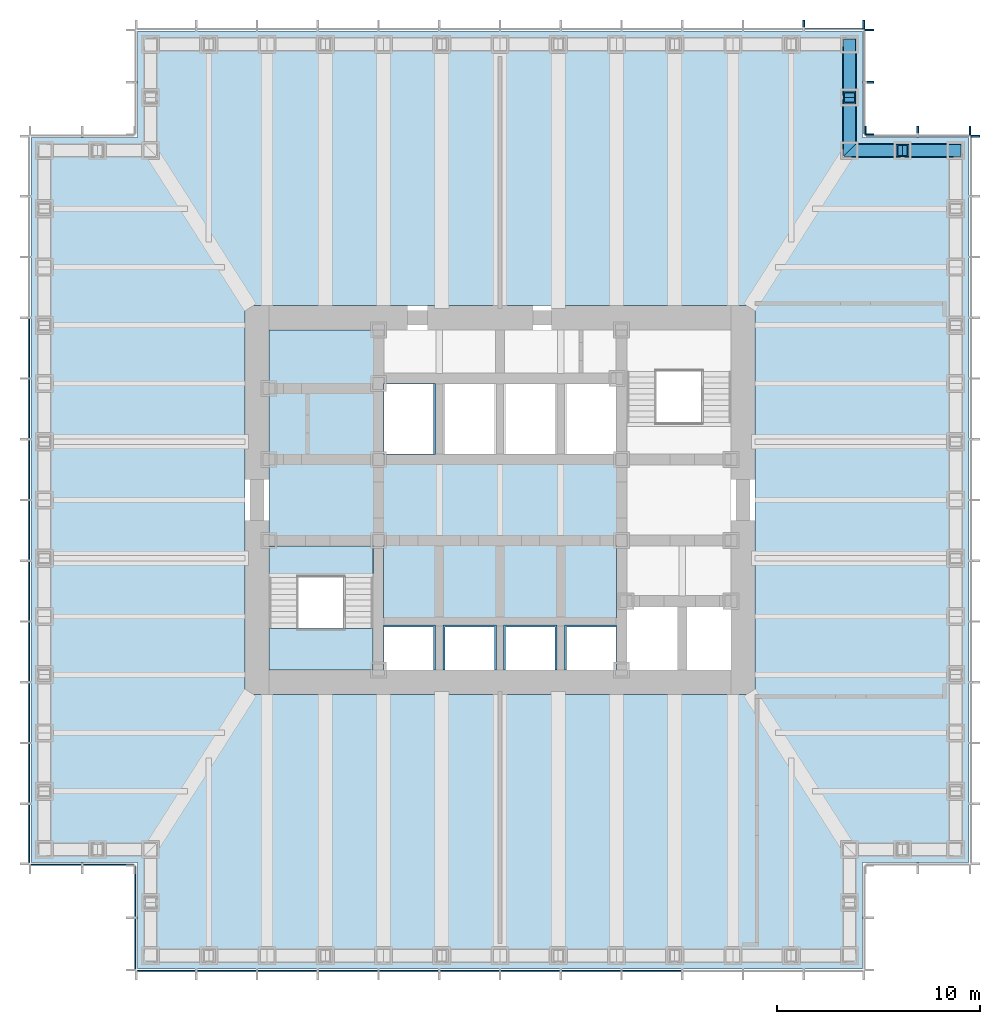
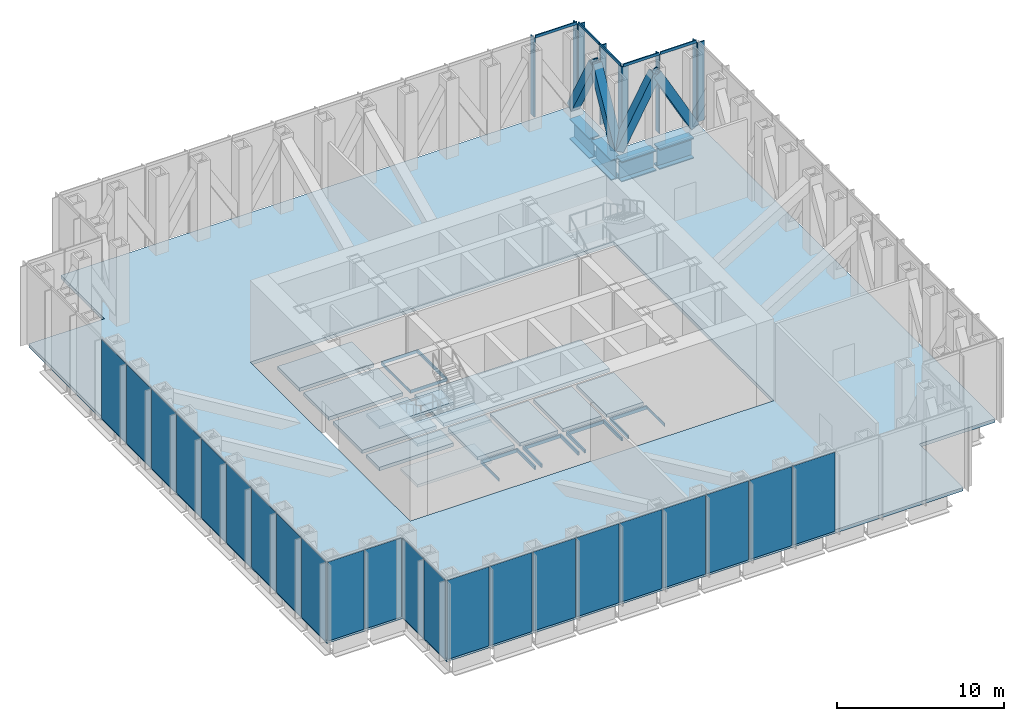
# One storey, part 5 of 13: 22 plates, 18 members, 18 slabs, 4 beams, 9 elements without a shape of their own.
"""IFC4 building model written with IfcOpenShell, lengths in metres."""

import ifcopenshell
import ifcopenshell.guid

model = None  # the IFC model being written
_history = None  # IfcOwnerHistory: only IFC2X3 demands one
_inside = {}  # id of a spatial element -> (the spatial element, [elements in it])
_under = {}  # id of a project, library or spatial element -> (it, [spatial elements below it])
_declared = {}  # id of a project -> (the project, [libraries it declares])
_typed = {}  # id of a type object -> (the type object, [elements of that type])
_made_of = {}  # id of a material, layer set ... -> (it, [elements and type objects made of it])


def new_model(schema):
    """Start an empty IFC model of exactly this schema.

    Asked for "IFC4X3", IfcOpenShell would pick the latest addendum, in which some entities
    have other attributes; the version numbers below select the first issue.
    IFC2X3 requires an IfcOwnerHistory on every rooted entity: one is made here for all.
    """
    global model, _history
    if schema == "IFC4X3":
        model = ifcopenshell.file(schema_version=(4, 3, 0, 0))
    else:
        model = ifcopenshell.file(schema=schema)
    _inside.clear()
    _under.clear()
    _declared.clear()
    _typed.clear()
    _made_of.clear()
    _history = None
    if model.schema == "IFC2X3":
        org = make("IfcOrganization", Name="unknown")
        user = make(
            "IfcPersonAndOrganization",
            ThePerson=make("IfcPerson", FamilyName="unknown"),
            TheOrganization=org,
        )
        app = make(
            "IfcApplication",
            ApplicationDeveloper=org,
            Version="unknown",
            ApplicationFullName="unknown",
            ApplicationIdentifier="unknown",
        )
        _history = make(
            "IfcOwnerHistory",
            OwningUser=user,
            OwningApplication=app,
            ChangeAction="ADDED",
            CreationDate=0,
        )
    return model


def make(cls, **values):
    """One entity of the class cls with the attributes given. An attribute that is None is left unset."""
    return model.create_entity(
        cls, **{name: value for name, value in values.items() if value is not None}
    )


def rooted(cls, **values):
    """An entity with a GlobalId (a new one), such as an element, a storey or a relation."""
    return make(cls, GlobalId=ifcopenshell.guid.new(), OwnerHistory=_history, **values)


def si_unit(unit_type, name, prefix=None):
    """IfcSIUnit, for example si_unit("LENGTHUNIT", "METRE", prefix="MILLI")."""
    return make("IfcSIUnit", UnitType=unit_type, Prefix=prefix, Name=name)


def assignment(units):
    """IfcUnitAssignment: the units of a project."""
    return None if units is None else make("IfcUnitAssignment", Units=units)


def point(xyz):
    """IfcCartesianPoint."""
    return None if xyz is None else make("IfcCartesianPoint", Coordinates=xyz)


def direction(xyz):
    """IfcDirection."""
    return None if xyz is None else make("IfcDirection", DirectionRatios=xyz)


def frame(location, z_axis=None, x_axis=None):
    """IfcAxis2Placement3D, a coordinate frame: its origin and axes. An axis left out is left unset."""
    return make(
        "IfcAxis2Placement3D",
        Location=point(location),
        Axis=direction(z_axis),
        RefDirection=direction(x_axis),
    )


def frame_2d(location, x_axis=None):
    """IfcAxis2Placement2D, a coordinate frame in the plane: its origin and x axis."""
    return make(
        "IfcAxis2Placement2D", Location=point(location), RefDirection=direction(x_axis)
    )


def origin():
    """The frame at (0, 0, 0) with its axes left unset."""
    return frame((0.0, 0.0, 0.0))


def origin_2d():
    """The frame at (0, 0) in the plane with its x axis left unset."""
    return frame_2d((0.0, 0.0))


def place(relative_to, where):
    """IfcLocalPlacement: puts the frame where relative to a parent placement (None: the world)."""
    return make(
        "IfcLocalPlacement", PlacementRelTo=relative_to, RelativePlacement=where
    )


def context(
    kind, dimensions, precision=None, world=None, true_north=None, identifier=None
):
    """IfcGeometricRepresentationContext, for example the 3D "Model" context."""
    return make(
        "IfcGeometricRepresentationContext",
        ContextIdentifier=identifier,
        ContextType=kind,
        CoordinateSpaceDimension=dimensions,
        Precision=precision,
        WorldCoordinateSystem=world,
        TrueNorth=true_north,
    )


def subcontext(parent, identifier, kind, view, scale=None):
    """IfcGeometricRepresentationSubContext, for example "Body" below "Model"."""
    return make(
        "IfcGeometricRepresentationSubContext",
        ContextIdentifier=identifier,
        ContextType=kind,
        ParentContext=parent,
        TargetScale=scale,
        TargetView=view,
    )


def project(units=None, contexts=None):
    """IfcProject with its units and contexts."""
    return rooted(
        "IfcProject",
        Name="project",
        RepresentationContexts=contexts,
        UnitsInContext=assignment(units),
    )


def spatial(cls, under=None, at=None, **own):
    """A site, building, storey or space (cls), placed at a placement, below another one or the project."""
    s = rooted(cls, ObjectPlacement=at, **own)
    if under is not None:
        _under.setdefault(under.id(), (under, []))[1].append(s)
    return s


def polyline(points):
    """IfcPolyline through the points."""
    return make("IfcPolyline", Points=[point(p) for p in points])


def profile(cls, at=None, kind="AREA", **sizes):
    """A parametric profile (cls). Its sizes go by their IFC names, for example OverallWidth=200.0."""
    return make(cls, ProfileType=kind, Position=at, **sizes)


def rectangle(**sizes):
    """IfcRectangleProfileDef."""
    return profile("IfcRectangleProfileDef", **sizes)


def hollow_rectangle(**sizes):
    """IfcRectangleHollowProfileDef."""
    return profile("IfcRectangleHollowProfileDef", **sizes)


def i_section(**sizes):
    """IfcIShapeProfileDef."""
    return profile("IfcIShapeProfileDef", **sizes)


def outline(outer, holes=None, kind="AREA"):
    """IfcArbitraryClosedProfileDef: a profile drawn as a closed curve; with holes, ...WithVoids."""
    if holes is None:
        return make("IfcArbitraryClosedProfileDef", ProfileType=kind, OuterCurve=outer)
    return make(
        "IfcArbitraryProfileDefWithVoids",
        ProfileType=kind,
        OuterCurve=outer,
        InnerCurves=holes,
    )


def extrude(swept, where, along, depth):
    """IfcExtrudedAreaSolid: the profile swept, set in the frame where, extruded along a direction by depth."""
    return make(
        "IfcExtrudedAreaSolid",
        SweptArea=swept,
        Position=where,
        ExtrudedDirection=direction(along),
        Depth=depth,
    )


def shape(context_of_items, identifier, shape_type, items):
    """IfcShapeRepresentation: the items that make up one representation, for example the "Body"."""
    return make(
        "IfcShapeRepresentation",
        ContextOfItems=context_of_items,
        RepresentationIdentifier=identifier,
        RepresentationType=shape_type,
        Items=items,
    )


def material(Name=None, Category=None):
    """IfcMaterial."""
    return make("IfcMaterial", Name=Name, Category=Category)


def layer(
    of_material, thickness, ventilated=None, Name=None, Category=None, Priority=None
):
    """IfcMaterialLayer: one layer of a wall or slab, of a material (None: an air gap)."""
    return make(
        "IfcMaterialLayer",
        Material=of_material,
        LayerThickness=thickness,
        IsVentilated=ventilated,
        Name=Name,
        Category=Category,
        Priority=Priority,
    )


def layer_set(layers, Name=None):
    """IfcMaterialLayerSet."""
    return make("IfcMaterialLayerSet", MaterialLayers=layers, LayerSetName=Name)


def material_profile(
    of_material, cross_section, Name=None, Category=None, Priority=None
):
    """IfcMaterialProfile: a cross section and its material."""
    return make(
        "IfcMaterialProfile",
        Name=Name,
        Material=of_material,
        Profile=cross_section,
        Priority=Priority,
        Category=Category,
    )


def profile_set(profiles, Name=None, composite=None):
    """IfcMaterialProfileSet."""
    return make(
        "IfcMaterialProfileSet",
        Name=Name,
        MaterialProfiles=profiles,
        CompositeProfile=composite,
    )


def made_of(thing, what):
    """Note that an element or type object is made of a material, layer set ...; save() writes the relation."""
    if what is not None:
        _made_of.setdefault(what.id(), (what, []))[1].append(thing)
    return thing


def type_object(cls, material=None, **own):
    """A type object (cls), such as IfcWallType, which elements share."""
    return made_of(rooted(cls, **own), material)


def element(
    cls,
    number,
    at=None,
    inside=None,
    cuts=None,
    type_object=None,
    material=None,
    context=None,
    identifier="Body",
    shape_type=None,
    held_by="IfcProductDefinitionShape",
    body=None,
    shapes=None,
    **own,
):
    """One element of the class cls, such as IfcWall. Its Tag is "e" and its number.

    at: its placement. inside: the storey or other place that contains it. cuts: it is an
    opening in that element (IfcRelVoidsElement). A single representation is given by context,
    identifier, shape_type and body (its items); several are given by shapes. held_by: the class
    of the entity that holds the representations. save() writes the other relations.
    """
    e = rooted(cls, Tag="e%d" % number, ObjectPlacement=at, **own)
    if body is not None:
        shapes = [shape(context, identifier, shape_type, body)]
    if shapes is not None:
        e.Representation = make(held_by, Representations=shapes)
    if inside is not None:
        _inside.setdefault(inside.id(), (inside, []))[1].append(e)
    if cuts is not None:
        rooted(
            "IfcRelVoidsElement", RelatingBuildingElement=cuts, RelatedOpeningElement=e
        )
    if type_object is not None:
        _typed.setdefault(type_object.id(), (type_object, []))[1].append(e)
    return made_of(e, material)


def aggregate(whole, parts):
    """IfcRelAggregates: a whole, such as a stair, and the parts it consists of."""
    return rooted("IfcRelAggregates", RelatingObject=whole, RelatedObjects=parts)


def save(model, path):
    """Write the relations noted so far, then the file.

    IfcRelAggregates (storeys below a building ...), IfcRelContainedInSpatialStructure (elements
    in a storey), IfcRelDefinesByType, IfcRelAssociatesMaterial and IfcRelDeclares: one each for
    every whole, place, type object, material and project.
    """
    for whole, parts in _under.values():
        aggregate(whole, parts)
    for where, things in _inside.values():
        rooted(
            "IfcRelContainedInSpatialStructure",
            RelatedElements=things,
            RelatingStructure=where,
        )
    for kind, things in _typed.values():
        rooted("IfcRelDefinesByType", RelatedObjects=things, RelatingType=kind)
    for what, things in _made_of.values():
        rooted("IfcRelAssociatesMaterial", RelatedObjects=things, RelatingMaterial=what)
    for by, libraries in _declared.values():
        rooted("IfcRelDeclares", RelatingContext=by, RelatedDefinitions=libraries)
    model.write(path)


model = new_model("IFC4")

# Units and contexts
model_context = context("Model", 3, precision=1e-05, world=origin(), true_north=direction((0.0, 1.0)))
body_context = subcontext(model_context, "Body", "Model", "MODEL_VIEW")
ifc_project = project(units=[si_unit("LENGTHUNIT", "METRE"), si_unit("AREAUNIT", "SQUARE_METRE"), si_unit("VOLUMEUNIT", "CUBIC_METRE"), si_unit("PLANEANGLEUNIT", "RADIAN"), si_unit("MASSUNIT", "GRAM", prefix="KILO")], contexts=[model_context])

# Site, building, storey
site_placement = place(None, origin())
site = spatial("IfcSite", under=ifc_project, at=site_placement, CompositionType="ELEMENT")
building_placement = place(site_placement, origin())
building = spatial("IfcBuilding", under=site, at=building_placement, Name="Daluyong Arena Tower", CompositionType="ELEMENT")
storey_placement = place(building_placement, frame((0.0, 0.0, 175.300048828125)))
storey = spatial("IfcBuildingStorey", under=building, at=storey_placement, Name="L39", CompositionType="ELEMENT", Elevation=175.300048828125)

# Members
ifc_material_1 = material(Name="Steel ASTM A572 Grade 50", Category="steel")
ifc_material_profile_1 = material_profile(ifc_material_1, hollow_rectangle(XDim=0.60009765625, YDim=0.60009765625, WallThickness=0.05, at=origin_2d()))
ifc_profile_set_1 = profile_set([ifc_material_profile_1], Name="Steel ASTM A572 Grade 50")
member_type_1 = type_object("IfcMemberType", Name="Belt truss diagonal BX600X50", PredefinedType="BRACE", material=ifc_profile_set_1)
for number, where, z_axis, x_axis, name in (
    (1, (78.5, 97.25, 0.5), (-0.48368611169, 0.0, 0.875241535439), (0.0, -1.0, 0.0), "belt truss diagonal BT1"),
    (2, (73.25, 97.25, 0.5), (0.48368611169, 0.0, 0.875241535439), (0.0, 1.0, 0.0), "belt truss diagonal BT1"),
    (3, (73.25, 97.25, 0.5), (0.0, 0.48368611169, 0.875241535439), (-1.0, 0.0, 0.0), "belt truss diagonal BT1"),
    (4, (73.25, 102.5, 0.5), (0.0, -0.48368611169, 0.875241535439), (1.0, 0.0, 0.0), "belt truss diagonal BT1"),
):
    element("IfcMember", number, at=place(storey_placement, frame(where, z_axis=z_axis, x_axis=x_axis)), inside=storey, type_object=member_type_1, Name=name, PredefinedType="BRACE", context=body_context, shape_type="SweptSolid", body=[
        extrude(hollow_rectangle(XDim=0.60009765625, YDim=0.60009765625, WallThickness=0.05, at=origin_2d()), origin(), (0.0, 0.0, 1.0), 5.427001953125),
    ])

# Curtain wall, member
ifc_material_2 = material(Name="Bronze anodised aluminium and glass", Category="aluminium")
curtain_wall_type = type_object("IfcCurtainWallType", Name="Curtain wall CW6", PredefinedType="USERDEFINED", material=ifc_material_2)
curtain_wall_1_placement = place(storey_placement, origin())
curtain_wall_1 = element("IfcCurtainWall", 5, at=curtain_wall_1_placement, inside=storey, type_object=curtain_wall_type, Name="curtain wall L39 E", ObjectType="UNITISED CURTAIN WALL", PredefinedType="USERDEFINED")
ifc_material_3 = material(Name="Bronze anodised aluminium fin", Category="aluminium")
ifc_material_profile_2 = material_profile(ifc_material_3, rectangle(XDim=0.449951171875, YDim=0.080078125, at=origin_2d()))
ifc_profile_set_2 = profile_set([ifc_material_profile_2], Name="Bronze anodised aluminium fin")
member_type_2 = type_object("IfcMemberType", Name="CW6 bronze fin 450x80", PredefinedType="MULLION", material=ifc_profile_set_2)
member_1_placement = place(storey_placement, frame((79.47509765625, 97.9599609375, 0.0), z_axis=(0.0, 0.0, 1.0), x_axis=(-1.0, 0.0, 0.0)))
member_1 = element("IfcMember", 6, at=member_1_placement, type_object=member_type_2, Name="curtain wall L39 E fin 13", PredefinedType="MULLION", context=body_context, shape_type="SweptSolid", body=[
    extrude(rectangle(XDim=0.449951171875, YDim=0.080078125, at=origin_2d()), origin(), (0.0, 0.0, 1.0), 5.800048828125),
])
aggregate(curtain_wall_1, [member_1])

# Curtain wall, members
curtain_wall_2_placement = place(storey_placement, origin())
curtain_wall_2 = element("IfcCurtainWall", 7, at=curtain_wall_2_placement, inside=storey, type_object=curtain_wall_type, Name="curtain wall L39 NE-N", ObjectType="UNITISED CURTAIN WALL", PredefinedType="USERDEFINED")
member_2_placement = place(storey_placement, frame((79.2099609375, 98.22509765625, 0.0), z_axis=(0.0, 0.0, 1.0), x_axis=(0.0, -1.0, 0.0)))
member_2 = element("IfcMember", 8, at=member_2_placement, type_object=member_type_2, Name="curtain wall L39 NE-N fin 1", PredefinedType="MULLION", context=body_context, shape_type="SweptSolid", body=[
    extrude(rectangle(XDim=0.449951171875, YDim=0.080078125, at=origin_2d()), origin(), (0.0, 0.0, 1.0), 5.800048828125),
])
member_3_placement = place(storey_placement, frame((76.625, 98.22509765625, 0.0), z_axis=(0.0, 0.0, 1.0), x_axis=(0.0, -1.0, 0.0)))
member_3 = element("IfcMember", 9, at=member_3_placement, type_object=member_type_2, Name="curtain wall L39 NE-N fin 2", PredefinedType="MULLION", context=body_context, shape_type="SweptSolid", body=[
    extrude(rectangle(XDim=0.449951171875, YDim=0.080078125, at=origin_2d()), origin(), (0.0, 0.0, 1.0), 5.800048828125),
])
member_4_placement = place(storey_placement, frame((74.0400390625, 98.22509765625, 0.0), z_axis=(0.0, 0.0, 1.0), x_axis=(0.0, -1.0, 0.0)))
member_4 = element("IfcMember", 10, at=member_4_placement, type_object=member_type_2, Name="curtain wall L39 NE-N fin 3", PredefinedType="MULLION", context=body_context, shape_type="SweptSolid", body=[
    extrude(rectangle(XDim=0.449951171875, YDim=0.080078125, at=origin_2d()), origin(), (0.0, 0.0, 1.0), 5.800048828125),
])

curtain_wall_3_placement = place(storey_placement, origin())
curtain_wall_3 = element("IfcCurtainWall", 11, at=curtain_wall_3_placement, inside=storey, type_object=curtain_wall_type, Name="curtain wall L39 NE-E", ObjectType="UNITISED CURTAIN WALL", PredefinedType="USERDEFINED")
member_5_placement = place(storey_placement, frame((74.22509765625, 98.0400390625, 0.0), z_axis=(0.0, 0.0, 1.0), x_axis=(-1.0, 0.0, 0.0)))
member_5 = element("IfcMember", 12, at=member_5_placement, type_object=member_type_2, Name="curtain wall L39 NE-E fin 1", PredefinedType="MULLION", context=body_context, shape_type="SweptSolid", body=[
    extrude(rectangle(XDim=0.449951171875, YDim=0.080078125, at=origin_2d()), origin(), (0.0, 0.0, 1.0), 5.800048828125),
])
member_6_placement = place(storey_placement, frame((74.22509765625, 100.625, 0.0), z_axis=(0.0, 0.0, 1.0), x_axis=(-1.0, 0.0, 0.0)))
member_6 = element("IfcMember", 13, at=member_6_placement, type_object=member_type_2, Name="curtain wall L39 NE-E fin 2", PredefinedType="MULLION", context=body_context, shape_type="SweptSolid", body=[
    extrude(rectangle(XDim=0.449951171875, YDim=0.080078125, at=origin_2d()), origin(), (0.0, 0.0, 1.0), 5.800048828125),
])
member_7_placement = place(storey_placement, frame((74.22509765625, 103.2099609375, 0.0), z_axis=(0.0, 0.0, 1.0), x_axis=(-1.0, 0.0, 0.0)))
member_7 = element("IfcMember", 14, at=member_7_placement, type_object=member_type_2, Name="curtain wall L39 NE-E fin 3", PredefinedType="MULLION", context=body_context, shape_type="SweptSolid", body=[
    extrude(rectangle(XDim=0.449951171875, YDim=0.080078125, at=origin_2d()), origin(), (0.0, 0.0, 1.0), 5.800048828125),
])

curtain_wall_4_placement = place(storey_placement, origin())
curtain_wall_4 = element("IfcCurtainWall", 15, at=curtain_wall_4_placement, inside=storey, type_object=curtain_wall_type, Name="curtain wall L39 N", ObjectType="UNITISED CURTAIN WALL", PredefinedType="USERDEFINED")
member_8_placement = place(storey_placement, frame((73.9599609375, 103.47509765625, 0.0), z_axis=(0.0, 0.0, 1.0), x_axis=(0.0, -1.0, 0.0)))
member_8 = element("IfcMember", 16, at=member_8_placement, type_object=member_type_2, Name="curtain wall L39 N fin 1", PredefinedType="MULLION", context=body_context, shape_type="SweptSolid", body=[
    extrude(rectangle(XDim=0.449951171875, YDim=0.080078125, at=origin_2d()), origin(), (0.0, 0.0, 1.0), 5.800048828125),
])
member_9_placement = place(storey_placement, frame((71.0, 103.47509765625, 0.0), z_axis=(0.0, 0.0, 1.0), x_axis=(0.0, -1.0, 0.0)))
member_9 = element("IfcMember", 17, at=member_9_placement, type_object=member_type_2, Name="curtain wall L39 N fin 2", PredefinedType="MULLION", context=body_context, shape_type="SweptSolid", body=[
    extrude(rectangle(XDim=0.449951171875, YDim=0.080078125, at=origin_2d()), origin(), (0.0, 0.0, 1.0), 5.800048828125),
])

# Member
ifc_material_4 = material(Name="Bronze anodised aluminium", Category="aluminium")
ifc_material_profile_3 = material_profile(ifc_material_4, rectangle(XDim=0.080078125, YDim=0.199951171875, at=origin_2d()))
ifc_profile_set_3 = profile_set([ifc_material_profile_3], Name="Bronze anodised aluminium")
member_type_3 = type_object("IfcMemberType", Name="CW6 stack transom 200x80", PredefinedType="USERDEFINED", material=ifc_profile_set_3)
member_10_placement = place(storey_placement, frame((79.169921875, 98.0, 5.89990234375), z_axis=(-1.0, 0.0, 0.0), x_axis=(0.0, -1.0, 0.0)))
member_10 = element("IfcMember", 18, at=member_10_placement, type_object=member_type_3, Name="curtain wall L39 NE-N transom 1", ObjectType="TRANSOM", PredefinedType="USERDEFINED", context=body_context, shape_type="SweptSolid", body=[
    extrude(rectangle(XDim=0.080078125, YDim=0.199951171875, at=origin_2d()), origin(), (0.0, 0.0, 1.0), 2.5048828125),
])

member_11_placement = place(storey_placement, frame((76.5849609375, 98.0, 5.89990234375), z_axis=(-1.0, 0.0, 0.0), x_axis=(0.0, -1.0, 0.0)))
member_11 = element("IfcMember", 19, at=member_11_placement, type_object=member_type_3, Name="curtain wall L39 NE-N transom 2", ObjectType="TRANSOM", PredefinedType="USERDEFINED", context=body_context, shape_type="SweptSolid", body=[
    extrude(rectangle(XDim=0.080078125, YDim=0.199951171875, at=origin_2d()), origin(), (0.0, 0.0, 1.0), 2.5048828125),
])

aggregate(curtain_wall_2, [member_2, member_3, member_4, member_10, member_11])

member_12_placement = place(storey_placement, frame((74.0, 98.080078125, 5.89990234375), z_axis=(0.0, 1.0, 0.0), x_axis=(-1.0, 0.0, 0.0)))
member_12 = element("IfcMember", 20, at=member_12_placement, type_object=member_type_3, Name="curtain wall L39 NE-E transom 1", ObjectType="TRANSOM", PredefinedType="USERDEFINED", context=body_context, shape_type="SweptSolid", body=[
    extrude(rectangle(XDim=0.080078125, YDim=0.199951171875, at=origin_2d()), origin(), (0.0, 0.0, 1.0), 2.5048828125),
])

member_13_placement = place(storey_placement, frame((74.0, 100.6650390625, 5.89990234375), z_axis=(0.0, 1.0, 0.0), x_axis=(-1.0, 0.0, 0.0)))
member_13 = element("IfcMember", 21, at=member_13_placement, type_object=member_type_3, Name="curtain wall L39 NE-E transom 2", ObjectType="TRANSOM", PredefinedType="USERDEFINED", context=body_context, shape_type="SweptSolid", body=[
    extrude(rectangle(XDim=0.080078125, YDim=0.199951171875, at=origin_2d()), origin(), (0.0, 0.0, 1.0), 2.5048828125),
])

aggregate(curtain_wall_3, [member_5, member_6, member_7, member_12, member_13])

member_14_placement = place(storey_placement, frame((73.919921875, 103.25, 5.89990234375), z_axis=(-1.0, 0.0, 0.0), x_axis=(0.0, -1.0, 0.0)))
member_14 = element("IfcMember", 22, at=member_14_placement, type_object=member_type_3, Name="curtain wall L39 N transom 1", ObjectType="TRANSOM", PredefinedType="USERDEFINED", context=body_context, shape_type="SweptSolid", body=[
    extrude(rectangle(XDim=0.080078125, YDim=0.199951171875, at=origin_2d()), origin(), (0.0, 0.0, 1.0), 2.8798828125),
])

aggregate(curtain_wall_4, [member_8, member_9, member_14])

# Beams
ifc_material_5 = material(Name="Steel ASTM A572 Grade 50", Category="steel")
ifc_material_profile_4 = material_profile(ifc_material_5, i_section(OverallWidth=0.699951171875, OverallDepth=1.5, WebThickness=0.04, FlangeThickness=0.08, at=origin_2d()))
ifc_profile_set_4 = profile_set([ifc_material_profile_4], Name="Steel ASTM A572 Grade 50")
beam_type = type_object("IfcBeamType", Name="Spandrel Z2 PG1500X700", PredefinedType="SPANDREL", material=ifc_profile_set_4)
for number, where, z_axis, x_axis, name in (
    (23, (78.385009765625, 97.25, -1.0), (-1.0, 0.0, 0.0), (0.0, -1.0, 0.0), "spandrel z2 SB6"),
    (24, (75.760009765625, 97.25, -1.0), (-1.0, 0.0, 0.0), (0.0, -1.0, 0.0), "spandrel z2 SB6"),
    (25, (73.25, 97.364990234375, -1.0), (0.0, 1.0, 0.0), (-1.0, 0.0, 0.0), "spandrel z2 SB6"),
    (26, (73.25, 99.989990234375, -1.0), (0.0, 1.0, 0.0), (-1.0, 0.0, 0.0), "spandrel z2 SB6"),
):
    element("IfcBeam", number, at=place(storey_placement, frame(where, z_axis=z_axis, x_axis=x_axis)), inside=storey, type_object=beam_type, Name=name, PredefinedType="SPANDREL", context=body_context, shape_type="SweptSolid", body=[
        extrude(i_section(OverallWidth=0.699951171875, OverallDepth=1.5, WebThickness=0.04, FlangeThickness=0.08, at=origin_2d()), origin(), (0.0, 0.0, 1.0), 2.39501953125),
    ])

# Curtain wall, plates
curtain_wall_5_placement = place(storey_placement, origin())
curtain_wall_5 = element("IfcCurtainWall", 27, at=curtain_wall_5_placement, inside=storey, type_object=curtain_wall_type, Name="curtain wall L39 S", ObjectType="UNITISED CURTAIN WALL", PredefinedType="USERDEFINED")
ifc_material_6 = material(Name="Bronze aluminium louvre panel", Category="aluminium")
ifc_layer_1 = layer(ifc_material_6, 0.050048828125)
ifc_layer_set_1 = layer_set([ifc_layer_1], Name="Bronze aluminium louvre panel")
plate_type = type_object("IfcPlateType", Name="CW6 panel 50", PredefinedType="CURTAIN_PANEL", material=ifc_layer_set_1)
plate_1_placement = place(storey_placement, frame((39.52001953125, 56.75, 0.0), z_axis=(0.0, 0.0, 1.0), x_axis=(1.0, 0.0, 0.0)))
plate_1 = element("IfcPlate", 28, at=plate_1_placement, type_object=plate_type, Name="curtain wall L39 S panel 1", PredefinedType="CURTAIN_PANEL", context=body_context, shape_type="SweptSolid", body=[
    extrude(rectangle(XDim=2.8798828125, YDim=0.050048828125, at=origin_2d()), origin(), (0.0, 0.0, 1.0), 5.800048828125),
])
plate_2_placement = place(storey_placement, frame((42.5, 56.75, 0.0), z_axis=(0.0, 0.0, 1.0), x_axis=(1.0, 0.0, 0.0)))
plate_2 = element("IfcPlate", 29, at=plate_2_placement, type_object=plate_type, Name="curtain wall L39 S panel 2", PredefinedType="CURTAIN_PANEL", context=body_context, shape_type="SweptSolid", body=[
    extrude(rectangle(XDim=2.919921875, YDim=0.050048828125, at=origin_2d()), origin(), (0.0, 0.0, 1.0), 5.800048828125),
])
plate_3_placement = place(storey_placement, frame((45.5, 56.75, 0.0), z_axis=(0.0, 0.0, 1.0), x_axis=(1.0, 0.0, 0.0)))
plate_3 = element("IfcPlate", 30, at=plate_3_placement, type_object=plate_type, Name="curtain wall L39 S panel 3", PredefinedType="CURTAIN_PANEL", context=body_context, shape_type="SweptSolid", body=[
    extrude(rectangle(XDim=2.919921875, YDim=0.050048828125, at=origin_2d()), origin(), (0.0, 0.0, 1.0), 5.800048828125),
])
plate_4_placement = place(storey_placement, frame((48.5, 56.75, 0.0), z_axis=(0.0, 0.0, 1.0), x_axis=(1.0, 0.0, 0.0)))
plate_4 = element("IfcPlate", 31, at=plate_4_placement, type_object=plate_type, Name="curtain wall L39 S panel 4", PredefinedType="CURTAIN_PANEL", context=body_context, shape_type="SweptSolid", body=[
    extrude(rectangle(XDim=2.919921875, YDim=0.050048828125, at=origin_2d()), origin(), (0.0, 0.0, 1.0), 5.800048828125),
])
plate_5_placement = place(storey_placement, frame((51.5, 56.75, 0.0), z_axis=(0.0, 0.0, 1.0), x_axis=(1.0, 0.0, 0.0)))
plate_5 = element("IfcPlate", 32, at=plate_5_placement, type_object=plate_type, Name="curtain wall L39 S panel 5", PredefinedType="CURTAIN_PANEL", context=body_context, shape_type="SweptSolid", body=[
    extrude(rectangle(XDim=2.919921875, YDim=0.050048828125, at=origin_2d()), origin(), (0.0, 0.0, 1.0), 5.800048828125),
])
plate_6_placement = place(storey_placement, frame((54.5, 56.75, 0.0), z_axis=(0.0, 0.0, 1.0), x_axis=(1.0, 0.0, 0.0)))
plate_6 = element("IfcPlate", 33, at=plate_6_placement, type_object=plate_type, Name="curtain wall L39 S panel 6", PredefinedType="CURTAIN_PANEL", context=body_context, shape_type="SweptSolid", body=[
    extrude(rectangle(XDim=2.919921875, YDim=0.050048828125, at=origin_2d()), origin(), (0.0, 0.0, 1.0), 5.800048828125),
])
plate_7_placement = place(storey_placement, frame((57.5, 56.75, 0.0), z_axis=(0.0, 0.0, 1.0), x_axis=(1.0, 0.0, 0.0)))
plate_7 = element("IfcPlate", 34, at=plate_7_placement, type_object=plate_type, Name="curtain wall L39 S panel 7", PredefinedType="CURTAIN_PANEL", context=body_context, shape_type="SweptSolid", body=[
    extrude(rectangle(XDim=2.919921875, YDim=0.050048828125, at=origin_2d()), origin(), (0.0, 0.0, 1.0), 5.800048828125),
])
plate_8_placement = place(storey_placement, frame((60.5, 56.75, 0.0), z_axis=(0.0, 0.0, 1.0), x_axis=(1.0, 0.0, 0.0)))
plate_8 = element("IfcPlate", 35, at=plate_8_placement, type_object=plate_type, Name="curtain wall L39 S panel 8", PredefinedType="CURTAIN_PANEL", context=body_context, shape_type="SweptSolid", body=[
    extrude(rectangle(XDim=2.919921875, YDim=0.050048828125, at=origin_2d()), origin(), (0.0, 0.0, 1.0), 5.800048828125),
])
plate_9_placement = place(storey_placement, frame((63.5, 56.75, 0.0), z_axis=(0.0, 0.0, 1.0), x_axis=(1.0, 0.0, 0.0)))
plate_9 = element("IfcPlate", 36, at=plate_9_placement, type_object=plate_type, Name="curtain wall L39 S panel 9", PredefinedType="CURTAIN_PANEL", context=body_context, shape_type="SweptSolid", body=[
    extrude(rectangle(XDim=2.919921875, YDim=0.050048828125, at=origin_2d()), origin(), (0.0, 0.0, 1.0), 5.800048828125),
])
aggregate(curtain_wall_5, [plate_1, plate_2, plate_3, plate_4, plate_5, plate_6, plate_7, plate_8, plate_9])

curtain_wall_6_placement = place(storey_placement, origin())
curtain_wall_6 = element("IfcCurtainWall", 37, at=curtain_wall_6_placement, inside=storey, type_object=curtain_wall_type, Name="curtain wall L39 W", ObjectType="UNITISED CURTAIN WALL", PredefinedType="USERDEFINED")
plate_10_placement = place(storey_placement, frame((32.75, 87.5, 0.0), z_axis=(0.0, 0.0, 1.0), x_axis=(0.0, -1.0, 0.0)))
plate_10 = element("IfcPlate", 38, at=plate_10_placement, type_object=plate_type, Name="curtain wall L39 W panel 4", PredefinedType="CURTAIN_PANEL", context=body_context, shape_type="SweptSolid", body=[
    extrude(rectangle(XDim=2.919921875, YDim=0.050048828125, at=origin_2d()), origin(), (0.0, 0.0, 1.0), 5.800048828125),
])
plate_11_placement = place(storey_placement, frame((32.75, 84.5, 0.0), z_axis=(0.0, 0.0, 1.0), x_axis=(0.0, -1.0, 0.0)))
plate_11 = element("IfcPlate", 39, at=plate_11_placement, type_object=plate_type, Name="curtain wall L39 W panel 5", PredefinedType="CURTAIN_PANEL", context=body_context, shape_type="SweptSolid", body=[
    extrude(rectangle(XDim=2.919921875, YDim=0.050048828125, at=origin_2d()), origin(), (0.0, 0.0, 1.0), 5.800048828125),
])
plate_12_placement = place(storey_placement, frame((32.75, 81.5, 0.0), z_axis=(0.0, 0.0, 1.0), x_axis=(0.0, -1.0, 0.0)))
plate_12 = element("IfcPlate", 40, at=plate_12_placement, type_object=plate_type, Name="curtain wall L39 W panel 6", PredefinedType="CURTAIN_PANEL", context=body_context, shape_type="SweptSolid", body=[
    extrude(rectangle(XDim=2.919921875, YDim=0.050048828125, at=origin_2d()), origin(), (0.0, 0.0, 1.0), 5.800048828125),
])
plate_13_placement = place(storey_placement, frame((32.75, 78.5, 0.0), z_axis=(0.0, 0.0, 1.0), x_axis=(0.0, -1.0, 0.0)))
plate_13 = element("IfcPlate", 41, at=plate_13_placement, type_object=plate_type, Name="curtain wall L39 W panel 7", PredefinedType="CURTAIN_PANEL", context=body_context, shape_type="SweptSolid", body=[
    extrude(rectangle(XDim=2.919921875, YDim=0.050048828125, at=origin_2d()), origin(), (0.0, 0.0, 1.0), 5.800048828125),
])
plate_14_placement = place(storey_placement, frame((32.75, 75.5, 0.0), z_axis=(0.0, 0.0, 1.0), x_axis=(0.0, -1.0, 0.0)))
plate_14 = element("IfcPlate", 42, at=plate_14_placement, type_object=plate_type, Name="curtain wall L39 W panel 8", PredefinedType="CURTAIN_PANEL", context=body_context, shape_type="SweptSolid", body=[
    extrude(rectangle(XDim=2.919921875, YDim=0.050048828125, at=origin_2d()), origin(), (0.0, 0.0, 1.0), 5.800048828125),
])
plate_15_placement = place(storey_placement, frame((32.75, 72.5, 0.0), z_axis=(0.0, 0.0, 1.0), x_axis=(0.0, -1.0, 0.0)))
plate_15 = element("IfcPlate", 43, at=plate_15_placement, type_object=plate_type, Name="curtain wall L39 W panel 9", PredefinedType="CURTAIN_PANEL", context=body_context, shape_type="SweptSolid", body=[
    extrude(rectangle(XDim=2.919921875, YDim=0.050048828125, at=origin_2d()), origin(), (0.0, 0.0, 1.0), 5.800048828125),
])
plate_16_placement = place(storey_placement, frame((32.75, 69.5, 0.0), z_axis=(0.0, 0.0, 1.0), x_axis=(0.0, -1.0, 0.0)))
plate_16 = element("IfcPlate", 44, at=plate_16_placement, type_object=plate_type, Name="curtain wall L39 W panel 10", PredefinedType="CURTAIN_PANEL", context=body_context, shape_type="SweptSolid", body=[
    extrude(rectangle(XDim=2.919921875, YDim=0.050048828125, at=origin_2d()), origin(), (0.0, 0.0, 1.0), 5.800048828125),
])
plate_17_placement = place(storey_placement, frame((32.75, 66.5, 0.0), z_axis=(0.0, 0.0, 1.0), x_axis=(0.0, -1.0, 0.0)))
plate_17 = element("IfcPlate", 45, at=plate_17_placement, type_object=plate_type, Name="curtain wall L39 W panel 11", PredefinedType="CURTAIN_PANEL", context=body_context, shape_type="SweptSolid", body=[
    extrude(rectangle(XDim=2.919921875, YDim=0.050048828125, at=origin_2d()), origin(), (0.0, 0.0, 1.0), 5.800048828125),
])
plate_18_placement = place(storey_placement, frame((32.75, 63.52001953125, 0.0), z_axis=(0.0, 0.0, 1.0), x_axis=(0.0, -1.0, 0.0)))
plate_18 = element("IfcPlate", 46, at=plate_18_placement, type_object=plate_type, Name="curtain wall L39 W panel 12", PredefinedType="CURTAIN_PANEL", context=body_context, shape_type="SweptSolid", body=[
    extrude(rectangle(XDim=2.8798828125, YDim=0.050048828125, at=origin_2d()), origin(), (0.0, 0.0, 1.0), 5.800048828125),
])
aggregate(curtain_wall_6, [plate_10, plate_11, plate_12, plate_13, plate_14, plate_15, plate_16, plate_17, plate_18])

curtain_wall_7_placement = place(storey_placement, origin())
curtain_wall_7 = element("IfcCurtainWall", 47, at=curtain_wall_7_placement, inside=storey, type_object=curtain_wall_type, Name="curtain wall L39 SW-S", ObjectType="UNITISED CURTAIN WALL", PredefinedType="USERDEFINED")
plate_19_placement = place(storey_placement, frame((34.08251953125, 62.0, 0.0), z_axis=(0.0, 0.0, 1.0), x_axis=(1.0, 0.0, 0.0)))
plate_19 = element("IfcPlate", 48, at=plate_19_placement, type_object=plate_type, Name="curtain wall L39 SW-S panel 1", PredefinedType="CURTAIN_PANEL", context=body_context, shape_type="SweptSolid", body=[
    extrude(rectangle(XDim=2.5048828125, YDim=0.050048828125, at=origin_2d()), origin(), (0.0, 0.0, 1.0), 5.800048828125),
])
plate_20_placement = place(storey_placement, frame((36.66748046875, 62.0, 0.0), z_axis=(0.0, 0.0, 1.0), x_axis=(1.0, 0.0, 0.0)))
plate_20 = element("IfcPlate", 49, at=plate_20_placement, type_object=plate_type, Name="curtain wall L39 SW-S panel 2", PredefinedType="CURTAIN_PANEL", context=body_context, shape_type="SweptSolid", body=[
    extrude(rectangle(XDim=2.5048828125, YDim=0.050048828125, at=origin_2d()), origin(), (0.0, 0.0, 1.0), 5.800048828125),
])
aggregate(curtain_wall_7, [plate_19, plate_20])

curtain_wall_8_placement = place(storey_placement, origin())
curtain_wall_8 = element("IfcCurtainWall", 50, at=curtain_wall_8_placement, inside=storey, type_object=curtain_wall_type, Name="curtain wall L39 SW-W", ObjectType="UNITISED CURTAIN WALL", PredefinedType="USERDEFINED")
plate_21_placement = place(storey_placement, frame((38.0, 60.66748046875, 0.0), z_axis=(0.0, 0.0, 1.0), x_axis=(0.0, -1.0, 0.0)))
plate_21 = element("IfcPlate", 51, at=plate_21_placement, type_object=plate_type, Name="curtain wall L39 SW-W panel 1", PredefinedType="CURTAIN_PANEL", context=body_context, shape_type="SweptSolid", body=[
    extrude(rectangle(XDim=2.5048828125, YDim=0.050048828125, at=origin_2d()), origin(), (0.0, 0.0, 1.0), 5.800048828125),
])
plate_22_placement = place(storey_placement, frame((38.0, 58.08251953125, 0.0), z_axis=(0.0, 0.0, 1.0), x_axis=(0.0, -1.0, 0.0)))
plate_22 = element("IfcPlate", 52, at=plate_22_placement, type_object=plate_type, Name="curtain wall L39 SW-W panel 2", PredefinedType="CURTAIN_PANEL", context=body_context, shape_type="SweptSolid", body=[
    extrude(rectangle(XDim=2.5048828125, YDim=0.050048828125, at=origin_2d()), origin(), (0.0, 0.0, 1.0), 5.800048828125),
])
aggregate(curtain_wall_8, [plate_21, plate_22])

# Slabs
ifc_material_7 = material(Name="Concrete fc' 35 MPa", Category="concrete")
ifc_layer_2 = layer(ifc_material_7, 0.25)
ifc_layer_set_2 = layer_set([ifc_layer_2], Name="Concrete fc' 35 MPa")
slab_type_1 = type_object("IfcSlabType", Name="Plant floor slab 250", PredefinedType="FLOOR", material=ifc_layer_set_2)
slab_1_placement = place(storey_placement, frame((0.0, 0.0, -0.25)))
element("IfcSlab", 53, at=slab_1_placement, inside=storey, type_object=slab_type_1, Name="floor L39 part 1", PredefinedType="FLOOR", context=body_context, shape_type="SweptSolid", body=[
    extrude(outline(polyline([(49.75, 76.175048828125), (49.75, 77.75), (44.60009765625, 77.75), (44.60009765625, 76.175048828125), (49.75, 76.175048828125)])), origin(), (0.0, 0.0, 1.0), 0.25),
])
slab_2_placement = place(storey_placement, frame((0.0, 0.0, -0.25)))
element("IfcSlab", 54, at=slab_2_placement, inside=storey, type_object=slab_type_1, Name="floor L39 part 2", PredefinedType="FLOOR", context=body_context, shape_type="SweptSolid", body=[
    extrude(outline(polyline([(44.60009765625, 78.25), (49.75, 78.25), (49.75, 81.75), (44.60009765625, 81.75), (44.60009765625, 78.25)])), origin(), (0.0, 0.0, 1.0), 0.25),
])
slab_3_placement = place(storey_placement, frame((0.0, 0.0, -0.25)))
element("IfcSlab", 55, at=slab_3_placement, inside=storey, type_object=slab_type_1, Name="floor L39 part 3", PredefinedType="FLOOR", context=body_context, shape_type="SweptSolid", body=[
    extrude(outline(polyline([(44.60009765625, 82.25), (49.75, 82.25), (49.75, 85.25), (44.60009765625, 85.25), (44.60009765625, 82.25)])), origin(), (0.0, 0.0, 1.0), 0.25),
])
slab_4_placement = place(storey_placement, frame((0.0, 0.0, -0.25)))
element("IfcSlab", 56, at=slab_4_placement, inside=storey, type_object=slab_type_1, Name="floor L39 part 4", PredefinedType="FLOOR", context=body_context, shape_type="SweptSolid", body=[
    extrude(outline(polyline([(49.75, 88.39990234375), (44.60009765625, 88.39990234375), (44.60009765625, 85.75), (49.75, 85.75), (49.75, 88.39990234375)])), origin(), (0.0, 0.0, 1.0), 0.25),
])
slab_5_placement = place(storey_placement, frame((0.0, 0.0, -0.25)))
element("IfcSlab", 57, at=slab_5_placement, inside=storey, type_object=slab_type_1, Name="floor L39 part 5", PredefinedType="FLOOR", context=body_context, shape_type="SweptSolid", body=[
    extrude(outline(polyline([(52.824951171875, 77.75), (50.25, 77.75), (50.25, 74.175048828125), (52.824951171875, 74.175048828125), (52.824951171875, 77.75)])), origin(), (0.0, 0.0, 1.0), 0.25),
])
slab_6_placement = place(storey_placement, frame((0.0, 0.0, -0.25)))
element("IfcSlab", 58, at=slab_6_placement, inside=storey, type_object=slab_type_1, Name="floor L39 part 6", PredefinedType="FLOOR", context=body_context, shape_type="SweptSolid", body=[
    extrude(outline(polyline([(50.27490234375, 73.72509765625), (52.72509765625, 73.72509765625), (52.72509765625, 71.60009765625), (52.824951171875, 71.60009765625), (52.824951171875, 73.824951171875), (50.25, 73.824951171875), (50.25, 71.60009765625), (50.27490234375, 71.60009765625), (50.27490234375, 73.72509765625)])), origin(), (0.0, 0.0, 1.0), 0.25),
])
slab_7_placement = place(storey_placement, frame((0.0, 0.0, -0.25)))
element("IfcSlab", 59, at=slab_7_placement, inside=storey, type_object=slab_type_1, Name="floor L39 part 7", PredefinedType="FLOOR", context=body_context, shape_type="SweptSolid", body=[
    extrude(outline(polyline([(52.824951171875, 85.75), (50.25, 85.75), (50.25, 82.25), (52.824951171875, 82.25), (52.824951171875, 85.75)]), holes=[polyline([(50.27490234375, 85.72509765625), (52.72509765625, 85.72509765625), (52.72509765625, 82.27490234375), (50.27490234375, 82.27490234375), (50.27490234375, 85.72509765625)])]), origin(), (0.0, 0.0, 1.0), 0.25),
])
slab_8_placement = place(storey_placement, frame((0.0, 0.0, -0.25)))
element("IfcSlab", 60, at=slab_8_placement, inside=storey, type_object=slab_type_1, Name="floor L39 part 9", PredefinedType="FLOOR", context=body_context, shape_type="SweptSolid", body=[
    extrude(outline(polyline([(55.72509765625, 73.72509765625), (55.72509765625, 71.60009765625), (55.824951171875, 71.60009765625), (55.824951171875, 73.824951171875), (53.175048828125, 73.824951171875), (53.175048828125, 71.60009765625), (53.27490234375, 71.60009765625), (53.27490234375, 73.72509765625), (55.72509765625, 73.72509765625)])), origin(), (0.0, 0.0, 1.0), 0.25),
])
slab_9_placement = place(storey_placement, frame((0.0, 0.0, -0.25)))
element("IfcSlab", 61, at=slab_9_placement, inside=storey, type_object=slab_type_1, Name="floor L39 part 10", PredefinedType="FLOOR", context=body_context, shape_type="SweptSolid", body=[
    extrude(outline(polyline([(55.824951171875, 77.75), (53.175048828125, 77.75), (53.175048828125, 74.175048828125), (55.824951171875, 74.175048828125), (55.824951171875, 77.75)])), origin(), (0.0, 0.0, 1.0), 0.25),
])
slab_10_placement = place(storey_placement, frame((0.0, 0.0, -0.25)))
element("IfcSlab", 62, at=slab_10_placement, inside=storey, type_object=slab_type_1, Name="floor L39 part 12", PredefinedType="FLOOR", context=body_context, shape_type="SweptSolid", body=[
    extrude(outline(polyline([(38.10009765625, 62.10009765625), (38.10009765625, 56.85009765625), (73.89990234375, 56.85009765625), (73.89990234375, 62.10009765625), (79.14990234375, 62.10009765625), (79.14990234375, 97.89990234375), (73.89990234375, 97.89990234375), (73.89990234375, 103.14990234375), (38.10009765625, 103.14990234375), (38.10009765625, 97.89990234375), (32.85009765625, 97.89990234375), (32.85009765625, 62.10009765625), (38.10009765625, 62.10009765625)]), holes=[polyline([(68.60009765625, 89.60009765625), (68.60009765625, 70.39990234375), (43.39990234375, 70.39990234375), (43.39990234375, 89.60009765625), (68.60009765625, 89.60009765625)])]), origin(), (0.0, 0.0, 1.0), 0.25),
])
slab_11_placement = place(storey_placement, frame((0.0, 0.0, -0.25)))
element("IfcSlab", 63, at=slab_11_placement, inside=storey, type_object=slab_type_1, Name="floor L39 part 13", PredefinedType="FLOOR", context=body_context, shape_type="SweptSolid", body=[
    extrude(outline(polyline([(61.75, 78.25), (61.75, 81.75), (50.25, 81.75), (50.25, 78.25), (61.75, 78.25)])), origin(), (0.0, 0.0, 1.0), 0.25),
])
slab_12_placement = place(storey_placement, frame((0.0, 0.0, -0.25)))
element("IfcSlab", 64, at=slab_12_placement, inside=storey, type_object=slab_type_1, Name="floor L39 part 14", PredefinedType="FLOOR", context=body_context, shape_type="SweptSolid", body=[
    extrude(outline(polyline([(58.824951171875, 71.60009765625), (58.824951171875, 73.824951171875), (56.175048828125, 73.824951171875), (56.175048828125, 71.60009765625), (56.27490234375, 71.60009765625), (56.27490234375, 73.72509765625), (58.72509765625, 73.72509765625), (58.72509765625, 71.60009765625), (58.824951171875, 71.60009765625)])), origin(), (0.0, 0.0, 1.0), 0.25),
])
slab_13_placement = place(storey_placement, frame((0.0, 0.0, -0.25)))
element("IfcSlab", 65, at=slab_13_placement, inside=storey, type_object=slab_type_1, Name="floor L39 part 15", PredefinedType="FLOOR", context=body_context, shape_type="SweptSolid", body=[
    extrude(outline(polyline([(58.824951171875, 77.75), (56.175048828125, 77.75), (56.175048828125, 74.175048828125), (58.824951171875, 74.175048828125), (58.824951171875, 77.75)])), origin(), (0.0, 0.0, 1.0), 0.25),
])
slab_14_placement = place(storey_placement, frame((0.0, 0.0, -0.25)))
element("IfcSlab", 66, at=slab_14_placement, inside=storey, type_object=slab_type_1, Name="floor L39 part 19", PredefinedType="FLOOR", context=body_context, shape_type="SweptSolid", body=[
    extrude(outline(polyline([(61.75, 71.60009765625), (61.75, 73.824951171875), (59.175048828125, 73.824951171875), (59.175048828125, 71.60009765625), (59.27490234375, 71.60009765625), (59.27490234375, 73.72509765625), (61.72509765625, 73.72509765625), (61.72509765625, 71.60009765625), (61.75, 71.60009765625)])), origin(), (0.0, 0.0, 1.0), 0.25),
])
slab_15_placement = place(storey_placement, frame((0.0, 0.0, -0.25)))
element("IfcSlab", 67, at=slab_15_placement, inside=storey, type_object=slab_type_1, Name="floor L39 part 20", PredefinedType="FLOOR", context=body_context, shape_type="SweptSolid", body=[
    extrude(outline(polyline([(59.175048828125, 77.75), (59.175048828125, 74.175048828125), (61.75, 74.175048828125), (61.75, 77.75), (59.175048828125, 77.75)])), origin(), (0.0, 0.0, 1.0), 0.25),
])

# Stair, slabs
ifc_material_8 = material(Name="Concrete fc' 35 MPa", Category="concrete")
stair_type = type_object("IfcStairType", Name="Core exit stair", PredefinedType="HALF_TURN_STAIR", material=ifc_material_8)
stair_placement = place(storey_placement, origin())
stair = element("IfcStair", 68, at=stair_placement, inside=storey, type_object=stair_type, Name="exit stair A L39", PredefinedType="HALF_TURN_STAIR")
ifc_material_9 = material(Name="Concrete fc' 35 MPa", Category="concrete")
ifc_layer_3 = layer(ifc_material_9, 0.199951171875)
ifc_layer_set_3 = layer_set([ifc_layer_3], Name="Concrete fc' 35 MPa")
slab_type_2 = type_object("IfcSlabType", Name="Stair landing 200", PredefinedType="LANDING", material=ifc_layer_set_3)
slab_16_placement = place(storey_placement, frame((0.0, 0.0, 1.300048828125)))
slab_16 = element("IfcSlab", 69, at=slab_16_placement, type_object=slab_type_2, Name="STA landing 1", PredefinedType="LANDING", context=body_context, shape_type="SweptSolid", body=[
    extrude(outline(polyline([(44.60009765625, 71.60009765625), (49.72509765625, 71.60009765625), (49.72509765625, 73.655029296875), (44.60009765625, 73.655029296875), (44.60009765625, 71.60009765625)])), origin(), (0.0, 0.0, 1.0), 0.199951171875),
])
slab_17_placement = place(storey_placement, frame((0.0, 0.0, 2.800048828125)))
slab_17 = element("IfcSlab", 70, at=slab_17_placement, type_object=slab_type_2, Name="STA landing 2", PredefinedType="LANDING", context=body_context, shape_type="SweptSolid", body=[
    extrude(outline(polyline([(44.60009765625, 76.175048828125), (49.72509765625, 76.175048828125), (49.72509765625, 77.72509765625), (44.60009765625, 77.72509765625), (44.60009765625, 76.175048828125)])), origin(), (0.0, 0.0, 1.0), 0.199951171875),
])
slab_18_placement = place(storey_placement, frame((0.0, 0.0, 4.300048828125)))
slab_18 = element("IfcSlab", 71, at=slab_18_placement, type_object=slab_type_2, Name="STA landing 3", PredefinedType="LANDING", context=body_context, shape_type="SweptSolid", body=[
    extrude(outline(polyline([(44.60009765625, 71.60009765625), (49.72509765625, 71.60009765625), (49.72509765625, 73.655029296875), (44.60009765625, 73.655029296875), (44.60009765625, 71.60009765625)])), origin(), (0.0, 0.0, 1.0), 0.199951171875),
])
aggregate(stair, [slab_16, slab_17, slab_18])

save(model, "model.ifc")
